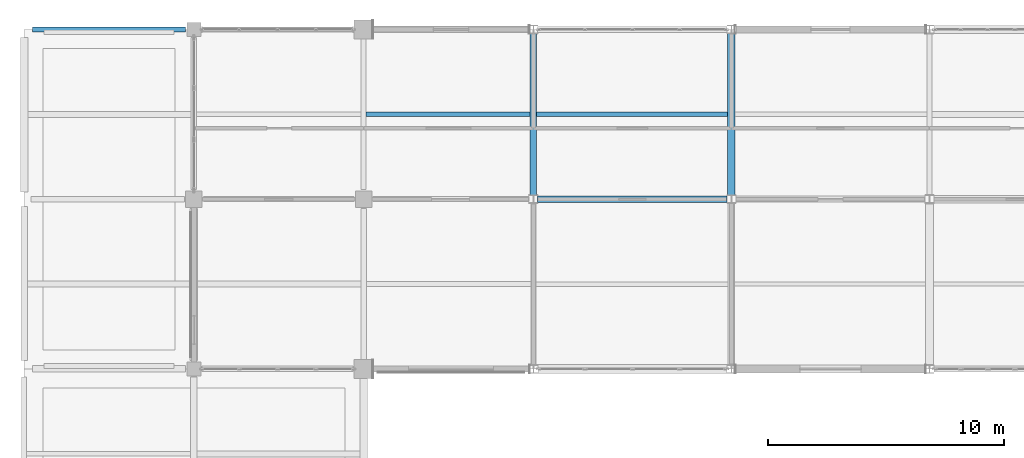
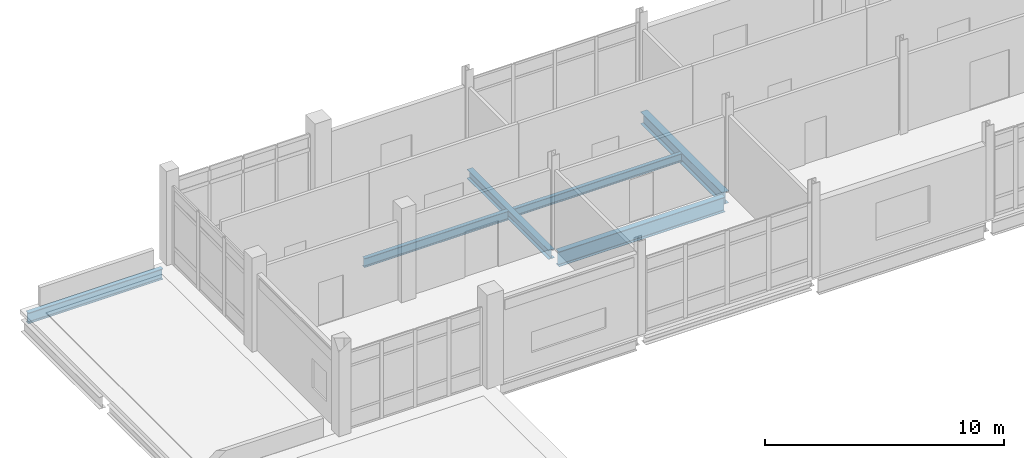
# One storey, part 84 of 186: 6 beams.
"""IFC4 building model written with IfcOpenShell, lengths in metres."""

from ifc_helpers import new_model, si_unit, direction, frame, origin, origin_2d, place, context, subcontext, project, spatial, i_section, extrude, material, material_profile, profile_set, type_object, element, save


model = new_model("IFC4")

# Units and contexts
model_context = context("Model", 3, precision=1e-05, world=origin(), true_north=direction((0.0, 1.0)))
body_context = subcontext(model_context, "Body", "Model", "MODEL_VIEW")
ifc_project = project(units=[si_unit("LENGTHUNIT", "METRE"), si_unit("AREAUNIT", "SQUARE_METRE"), si_unit("VOLUMEUNIT", "CUBIC_METRE"), si_unit("PLANEANGLEUNIT", "RADIAN"), si_unit("MASSUNIT", "GRAM", prefix="KILO")], contexts=[model_context])

# Site, building, storey
site_placement = place(None, origin())
site = spatial("IfcSite", under=ifc_project, at=site_placement, CompositionType="ELEMENT")
building_placement = place(site_placement, origin())
building = spatial("IfcBuilding", under=site, at=building_placement, Name="Calvrana Isthmian Art Gallery", CompositionType="ELEMENT")
storey_placement = place(building_placement, frame((0.0, 0.0, 5.39990234375)))
storey = spatial("IfcBuildingStorey", under=building, at=storey_placement, Name="L01", CompositionType="ELEMENT", Elevation=5.39990234375)

# Beams
ifc_material = material(Name="Steel ASTM A992 Gr 50", Category="steel")
ifc_material_profile_1 = material_profile(ifc_material, i_section(OverallWidth=0.279052734375, OverallDepth=0.4619140625, WebThickness=0.0107421875, FlangeThickness=0.017333984375, FilletRadius=0.02001953125, at=origin_2d()), Name="W18X76")
ifc_profile_set_1 = profile_set([ifc_material_profile_1], Name="Steel ASTM A992 Gr 50")
beam_type_1 = type_object("IfcBeamType", Name="BM-G-W18X76", PredefinedType="BEAM", material=ifc_profile_set_1)
beam_1_placement = place(storey_placement, frame((21.60009765625, 105.778076171875, -0.475830078125), z_axis=(0.0, 1.0, 0.0), x_axis=(-1.0, 0.0, 0.0)))
element("IfcBeam", 1, at=beam_1_placement, inside=storey, type_object=beam_type_1, Name="Girder Y L01 04/O-P", PredefinedType="BEAM", context=body_context, shape_type="SweptSolid", body=[
    extrude(i_section(OverallWidth=0.279052734375, OverallDepth=0.4619140625, WebThickness=0.0107421875, FlangeThickness=0.017333984375, FilletRadius=0.02001953125, at=origin_2d()), origin(), (0.0, 0.0, 1.0), 6.84033203125),
])
ifc_material_profile_2 = material_profile(ifc_material, i_section(OverallWidth=0.214111328125, OverallDepth=0.549072265625, WebThickness=0.0146484375, FlangeThickness=0.023681640625, FilletRadius=0.02099609375, at=origin_2d()), Name="W21X93")
ifc_profile_set_2 = profile_set([ifc_material_profile_2], Name="Steel ASTM A992 Gr 50")
beam_type_2 = type_object("IfcBeamType", Name="BM-G-W21X93", PredefinedType="BEAM", material=ifc_profile_set_2)
beam_2_placement = place(storey_placement, frame((0.35009765625, 112.800048828125, -0.519287109375), z_axis=(1.0, 0.0, 0.0), x_axis=(0.0, 1.0, 0.0)))
element("IfcBeam", 2, at=beam_2_placement, inside=storey, type_object=beam_type_2, Name="Girder X L01 01-02/P", PredefinedType="BEAM", context=body_context, shape_type="SweptSolid", body=[
    extrude(i_section(OverallWidth=0.214111328125, OverallDepth=0.549072265625, WebThickness=0.0146484375, FlangeThickness=0.023681640625, FilletRadius=0.02099609375, at=origin_2d()), origin(), (0.0, 0.0, 1.0), 6.5),
])
ifc_material_profile_3 = material_profile(ifc_material, i_section(OverallWidth=0.324951171875, OverallDepth=0.612060546875, WebThickness=0.0126953125, FlangeThickness=0.01904296875, FilletRadius=0.02197265625, at=origin_2d()), Name="W24X104")
ifc_profile_set_3 = profile_set([ifc_material_profile_3], Name="Steel ASTM A992 Gr 50")
beam_type_3 = type_object("IfcBeamType", Name="BM-G-W24X104", PredefinedType="BEAM", material=ifc_profile_set_3)
beam_3_placement = place(storey_placement, frame((30.0, 105.78662109375, -0.55078125), z_axis=(0.0, 1.0, 0.0), x_axis=(-1.0, 0.0, 0.0)))
element("IfcBeam", 3, at=beam_3_placement, inside=storey, type_object=beam_type_3, Name="Girder Y L01 05/O-P", PredefinedType="BEAM", context=body_context, shape_type="SweptSolid", body=[
    extrude(i_section(OverallWidth=0.324951171875, OverallDepth=0.612060546875, WebThickness=0.0126953125, FlangeThickness=0.01904296875, FilletRadius=0.02197265625, at=origin_2d()), origin(), (0.0, 0.0, 1.0), 6.83544921875),
])
ifc_material_profile_4 = material_profile(ifc_material, i_section(OverallWidth=0.26708984375, OverallDepth=0.761962890625, WebThickness=0.014404296875, FlangeThickness=0.021484375, FilletRadius=0.02490234375, at=origin_2d()), Name="W30X116")
ifc_profile_set_4 = profile_set([ifc_material_profile_4], Name="Steel ASTM A992 Gr 50")
beam_type_4 = type_object("IfcBeamType", Name="BM-G-W30X116", PredefinedType="BEAM", material=ifc_profile_set_4)
beam_4_placement = place(storey_placement, frame((21.783935546875, 105.60009765625, -0.6259765625), z_axis=(1.0, 0.0, 0.0), x_axis=(0.0, 1.0, 0.0)))
element("IfcBeam", 4, at=beam_4_placement, inside=storey, type_object=beam_type_4, Name="Girder X L01 04-05/O", PredefinedType="BEAM", context=body_context, shape_type="SweptSolid", body=[
    extrude(i_section(OverallWidth=0.26708984375, OverallDepth=0.761962890625, WebThickness=0.014404296875, FlangeThickness=0.021484375, FilletRadius=0.02490234375, at=origin_2d()), origin(), (0.0, 0.0, 1.0), 8.029541015625),
])
ifc_material_profile_5 = material_profile(ifc_material, i_section(OverallWidth=0.179931640625, OverallDepth=0.4140625, WebThickness=0.009765625, FlangeThickness=0.01611328125, FilletRadius=0.01806640625, at=origin_2d()), Name="W16X50")
ifc_profile_set_5 = profile_set([ifc_material_profile_5], Name="Steel ASTM A992 Gr 50")
beam_type_5 = type_object("IfcBeamType", Name="BM-J-W16X50", PredefinedType="JOIST", material=ifc_profile_set_5)
beam_5_placement = place(storey_placement, frame((21.739501953125, 109.199951171875, -0.451904296875), z_axis=(1.0, 0.0, 0.0), x_axis=(0.0, 1.0, 0.0)))
element("IfcBeam", 5, at=beam_5_placement, inside=storey, type_object=beam_type_5, Name="Composite joist L01 bay 03-14", PredefinedType="JOIST", context=body_context, shape_type="SweptSolid", body=[
    extrude(i_section(OverallWidth=0.179931640625, OverallDepth=0.4140625, WebThickness=0.009765625, FlangeThickness=0.01611328125, FilletRadius=0.01806640625, at=origin_2d()), origin(), (0.0, 0.0, 1.0), 8.097900390625),
])
ifc_material_profile_6 = material_profile(ifc_material, i_section(OverallWidth=0.19091796875, OverallDepth=0.45703125, WebThickness=0.009033203125, FlangeThickness=0.014404296875, FilletRadius=0.02001953125, at=origin_2d()), Name="W18X50")
ifc_profile_set_6 = profile_set([ifc_material_profile_6], Name="Steel ASTM A992 Gr 50")
beam_type_6 = type_object("IfcBeamType", Name="BM-J-W18X50", PredefinedType="JOIST", material=ifc_profile_set_6)
beam_6_placement = place(storey_placement, frame((14.50439453125, 109.199951171875, -0.473388671875), z_axis=(1.0, 0.0, 0.0), x_axis=(0.0, 1.0, 0.0)))
element("IfcBeam", 6, at=beam_6_placement, inside=storey, type_object=beam_type_6, Name="Composite joist L01 bay 02-14", PredefinedType="JOIST", context=body_context, shape_type="SweptSolid", body=[
    extrude(i_section(OverallWidth=0.19091796875, OverallDepth=0.45703125, WebThickness=0.009033203125, FlangeThickness=0.014404296875, FilletRadius=0.02001953125, at=origin_2d()), origin(), (0.0, 0.0, 1.0), 6.9560546875),
])

save(model, "model.ifc")
